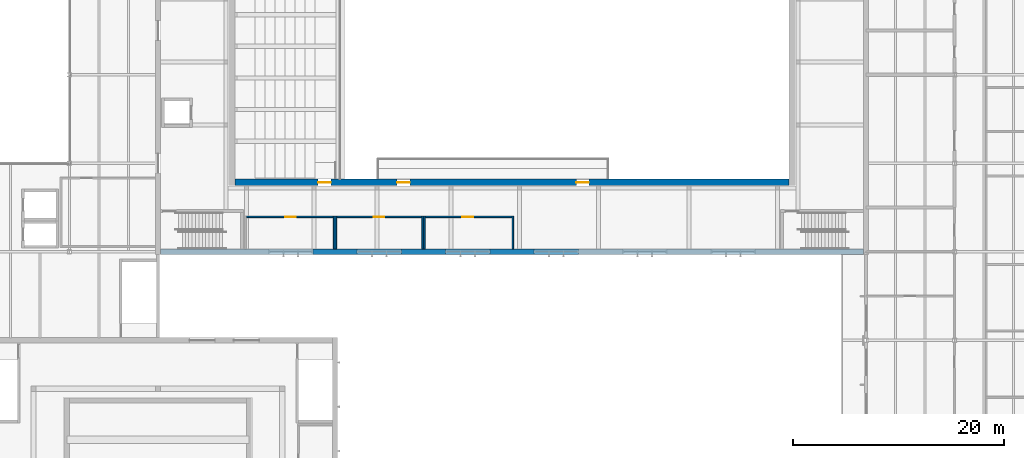
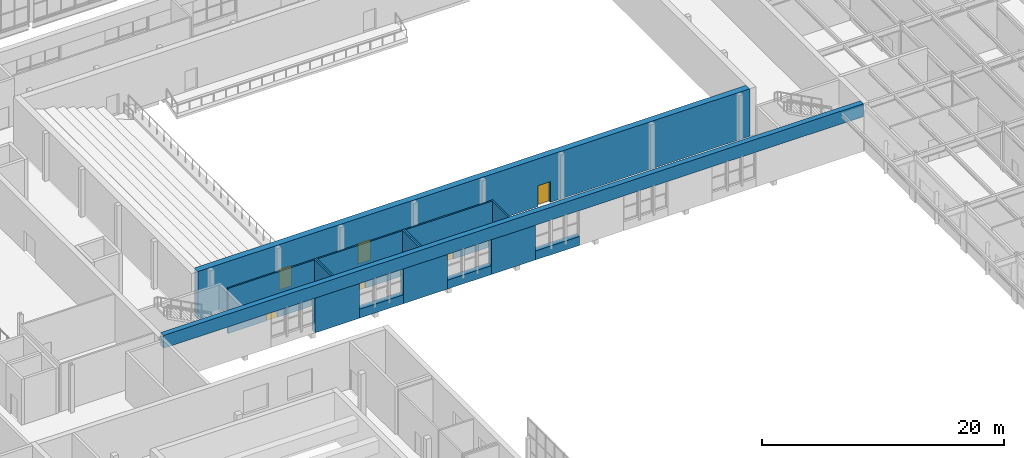
# One storey, part 71 of 116: 16 walls, 6 doors, 6 openings.
"""IFC4 building model written with IfcOpenShell, lengths in metres."""

from ifc_helpers import new_model, si_unit, direction, frame, frame_2d, origin, place, context, subcontext, project, spatial, rectangle, extrude, material, layer, layer_set, type_object, element, fill, save


model = new_model("IFC4")

# Units and contexts
model_context = context("Model", 3, precision=1e-05, world=origin(), true_north=direction((0.0, 1.0)))
body_context = subcontext(model_context, "Body", "Model", "MODEL_VIEW")
ifc_project = project(units=[si_unit("LENGTHUNIT", "METRE"), si_unit("AREAUNIT", "SQUARE_METRE"), si_unit("VOLUMEUNIT", "CUBIC_METRE"), si_unit("PLANEANGLEUNIT", "RADIAN"), si_unit("MASSUNIT", "GRAM", prefix="KILO")], contexts=[model_context])

# Site, building, storey
site_placement = place(None, origin())
site = spatial("IfcSite", under=ifc_project, at=site_placement, CompositionType="ELEMENT")
building_placement = place(site_placement, origin())
building = spatial("IfcBuilding", under=site, at=building_placement, Name="Ljudholm Concert House", CompositionType="ELEMENT")
storey_placement = place(building_placement, frame((0.0, 0.0, 10.199951171875)))
storey = spatial("IfcBuildingStorey", under=building, at=storey_placement, Name="L02", CompositionType="ELEMENT", Elevation=10.199951171875)

# Wall, opening, door
ifc_material_1 = material(Name="Gypsum board on steel studs", Category="steel")
ifc_layer_1 = layer(ifc_material_1, 0.14990234375)
ifc_layer_set_1 = layer_set([ifc_layer_1], Name="Gypsum board on steel studs")
wall_type_1 = type_object("IfcWallType", Name="GYPSUM PARTITION 150", PredefinedType="PARTITIONING", material=ifc_layer_set_1)
wall_1_placement = place(storey_placement, frame((37.60009765625, 57.72509765625, 0.0), z_axis=(0.0, 0.0, 1.0), x_axis=(1.0, 0.0, 0.0)))
wall_1 = element("IfcWall", 1, at=wall_1_placement, inside=storey, type_object=wall_type_1, Name="Women's WC partition", PredefinedType="PARTITIONING", context=body_context, shape_type="SweptSolid", body=[
    extrude(rectangle(XDim=8.39990234375, YDim=0.14990234375, at=frame_2d((4.199951171875, 0.0))), origin(), (0.0, 0.0, 1.0), 4.550048828125),
])
opening_1_placement = place(wall_1_placement, frame((3.699951171875, 0.0, 0.0)))
opening_1 = element("IfcOpeningElement", 2, at=opening_1_placement, cuts=wall_1, Name="Opening D-H02-003", PredefinedType="OPENING", context=body_context, shape_type="SweptSolid", body=[
    extrude(rectangle(XDim=1.0, YDim=2.10009765625, at=frame_2d((0.5, 1.050048828125))), frame((0.0, 0.0849609375, 0.0), z_axis=(0.0, -1.0, 0.0), x_axis=(1.0, 0.0, 0.0)), (0.0, 0.0, 1.0), 0.169921875),
])
ifc_material_2 = material(Name="Hollow metal door in steel frame", Category="steel")
door_type_1 = type_object("IfcDoorType", Name="SWING DOOR 1000x2100", OperationType="SINGLE_SWING_LEFT", PredefinedType="DOOR", material=ifc_material_2)
door_1_placement = place(opening_1_placement, frame((1.0, 0.0, 0.0), z_axis=(0.0, 0.0, 1.0), x_axis=(-1.0, 0.0, 0.0)))
door_1 = element("IfcDoor", 3, at=door_1_placement, inside=storey, type_object=door_type_1, Name="Women's WC door", OperationType="SINGLE_SWING_LEFT", OverallHeight=2.10009765625, OverallWidth=1.0, PredefinedType="DOOR", context=body_context, shape_type="SweptSolid", body=[
    extrude(rectangle(XDim=1.0, YDim=2.10009765625, at=frame_2d((0.5, 1.050048828125))), frame((0.0, 0.02490234375, 0.0), z_axis=(0.0, -1.0, 0.0), x_axis=(1.0, 0.0, 0.0)), (0.0, 0.0, 1.0), 0.050048828125),
])
fill(opening_1, door_1)

# Wall
wall_2_placement = place(storey_placement, frame((46.074951171875, 54.64990234375, 0.0), z_axis=(0.0, 0.0, 1.0), x_axis=(0.0, 1.0, 0.0)))
element("IfcWall", 4, at=wall_2_placement, inside=storey, type_object=wall_type_1, Name="Women's WC partition", PredefinedType="PARTITIONING", context=body_context, shape_type="SweptSolid", body=[
    extrude(rectangle(XDim=3.150146484375, YDim=0.14990234375, at=frame_2d((1.5751953125, 0.0))), origin(), (0.0, 0.0, 1.0), 4.550048828125),
])

# Wall, opening, door
wall_3_placement = place(storey_placement, frame((46.0, 57.72509765625, 0.0), z_axis=(0.0, 0.0, 1.0), x_axis=(1.0, 0.0, 0.0)))
wall_3 = element("IfcWall", 5, at=wall_3_placement, inside=storey, type_object=wall_type_1, Name="Men's WC partition", PredefinedType="PARTITIONING", context=body_context, shape_type="SweptSolid", body=[
    extrude(rectangle(XDim=8.39990234375, YDim=0.14990234375, at=frame_2d((4.199951171875, 0.0))), origin(), (0.0, 0.0, 1.0), 4.550048828125),
])
opening_2_placement = place(wall_3_placement, frame((3.699951171875, 0.0, 0.0)))
opening_2 = element("IfcOpeningElement", 6, at=opening_2_placement, cuts=wall_3, Name="Opening D-H02-004", PredefinedType="OPENING", context=body_context, shape_type="SweptSolid", body=[
    extrude(rectangle(XDim=1.0, YDim=2.10009765625, at=frame_2d((0.5, 1.050048828125))), frame((0.0, 0.0849609375, 0.0), z_axis=(0.0, -1.0, 0.0), x_axis=(1.0, 0.0, 0.0)), (0.0, 0.0, 1.0), 0.169921875),
])
door_2_placement = place(opening_2_placement, frame((1.0, 0.0, 0.0), z_axis=(0.0, 0.0, 1.0), x_axis=(-1.0, 0.0, 0.0)))
door_2 = element("IfcDoor", 7, at=door_2_placement, inside=storey, type_object=door_type_1, Name="Men's WC door", OperationType="SINGLE_SWING_RIGHT", OverallHeight=2.10009765625, OverallWidth=1.0, PredefinedType="DOOR", context=body_context, shape_type="SweptSolid", body=[
    extrude(rectangle(XDim=1.0, YDim=2.10009765625, at=frame_2d((0.5, 1.050048828125))), frame((0.0, 0.02490234375, 0.0), z_axis=(0.0, -1.0, 0.0), x_axis=(1.0, 0.0, 0.0)), (0.0, 0.0, 1.0), 0.050048828125),
])
fill(opening_2, door_2)

# Walls
for number, where, z_axis, x_axis, name in (
    (8, (45.925048828125, 54.64990234375, 0.0), (0.0, 0.0, 1.0), (0.0, 1.0, 0.0), "Men's WC partition"),
    (9, (54.47509765625, 54.64990234375, 0.0), (0.0, 0.0, 1.0), (0.0, 1.0, 0.0), "Men's WC partition"),
):
    element("IfcWall", number, at=place(storey_placement, frame(where, z_axis=z_axis, x_axis=x_axis)), inside=storey, type_object=wall_type_1, Name=name, PredefinedType="PARTITIONING", context=body_context, shape_type="SweptSolid", body=[
        extrude(rectangle(XDim=3.150146484375, YDim=0.14990234375, at=frame_2d((1.5751953125, 0.0))), origin(), (0.0, 0.0, 1.0), 4.550048828125),
    ])

# Wall, opening, door
wall_4_placement = place(storey_placement, frame((54.39990234375, 57.72509765625, 0.0), z_axis=(0.0, 0.0, 1.0), x_axis=(1.0, 0.0, 0.0)))
wall_4 = element("IfcWall", 10, at=wall_4_placement, inside=storey, type_object=wall_type_1, Name="Accessible WC partition", PredefinedType="PARTITIONING", context=body_context, shape_type="SweptSolid", body=[
    extrude(rectangle(XDim=8.400146484375, YDim=0.14990234375, at=frame_2d((4.2001953125, 0.0))), origin(), (0.0, 0.0, 1.0), 4.550048828125),
])
opening_3_placement = place(wall_4_placement, frame((3.699951171875, 0.0, 0.0)))
opening_3 = element("IfcOpeningElement", 11, at=opening_3_placement, cuts=wall_4, Name="Opening D-H02-005", PredefinedType="OPENING", context=body_context, shape_type="SweptSolid", body=[
    extrude(rectangle(XDim=1.0, YDim=2.10009765625, at=frame_2d((0.5, 1.050048828125))), frame((0.0, 0.0849609375, 0.0), z_axis=(0.0, -1.0, 0.0), x_axis=(1.0, 0.0, 0.0)), (0.0, 0.0, 1.0), 0.169921875),
])
door_3_placement = place(opening_3_placement, frame((1.0, 0.0, 0.0), z_axis=(0.0, 0.0, 1.0), x_axis=(-1.0, 0.0, 0.0)))
door_3 = element("IfcDoor", 12, at=door_3_placement, inside=storey, type_object=door_type_1, Name="Accessible WC door", OperationType="SINGLE_SWING_LEFT", OverallHeight=2.10009765625, OverallWidth=1.0, PredefinedType="DOOR", context=body_context, shape_type="SweptSolid", body=[
    extrude(rectangle(XDim=1.0, YDim=2.10009765625, at=frame_2d((0.5, 1.050048828125))), frame((0.0, 0.02490234375, 0.0), z_axis=(0.0, -1.0, 0.0), x_axis=(1.0, 0.0, 0.0)), (0.0, 0.0, 1.0), 0.050048828125),
])
fill(opening_3, door_3)

# Walls
for number, where, z_axis, x_axis, name in (
    (13, (54.324951171875, 54.64990234375, 0.0), (0.0, 0.0, 1.0), (0.0, 1.0, 0.0), "Accessible WC partition"),
    (14, (62.875, 54.64990234375, 0.0), (0.0, 0.0, 1.0), (0.0, 1.0, 0.0), "Accessible WC partition"),
):
    element("IfcWall", number, at=place(storey_placement, frame(where, z_axis=z_axis, x_axis=x_axis)), inside=storey, type_object=wall_type_1, Name=name, PredefinedType="PARTITIONING", context=body_context, shape_type="SweptSolid", body=[
        extrude(rectangle(XDim=3.150146484375, YDim=0.14990234375, at=frame_2d((1.5751953125, 0.0))), origin(), (0.0, 0.0, 1.0), 4.550048828125),
    ])
ifc_material_3 = material(Name="Concrete 6,500 psi", Category="concrete")
ifc_layer_2 = layer(ifc_material_3, 0.5)
ifc_layer_set_2 = layer_set([ifc_layer_2], Name="Concrete 6,500 psi")
wall_type_2 = type_object("IfcWallType", Name="RC WALL 500", PredefinedType="SOLIDWALL", material=ifc_layer_set_2)
wall_5_placement = place(storey_placement, frame((43.89990234375, 54.39990234375, 0.0), z_axis=(0.0, 0.0, 1.0), x_axis=(1.0, 0.0, 0.0)))
element("IfcWall", 15, at=wall_5_placement, inside=storey, type_object=wall_type_2, Name="Outer wall S", PredefinedType="SOLIDWALL", context=body_context, shape_type="SweptSolid", body=[
    extrude(rectangle(XDim=4.2001953125, YDim=0.5, at=frame_2d((2.10009765625, 0.0))), origin(), (0.0, 0.0, 1.0), 3.5),
])
for number, where, z_axis, x_axis, name in (
    (16, (52.300048828125, 54.39990234375, 0.0), (0.0, 0.0, 1.0), (1.0, 0.0, 0.0), "Outer wall S"),
    (17, (60.699951171875, 54.39990234375, 0.0), (0.0, 0.0, 1.0), (1.0, 0.0, 0.0), "Outer wall S"),
):
    element("IfcWall", number, at=place(storey_placement, frame(where, z_axis=z_axis, x_axis=x_axis)), inside=storey, type_object=wall_type_2, Name=name, PredefinedType="SOLIDWALL", context=body_context, shape_type="SweptSolid", body=[
        extrude(rectangle(XDim=4.199951171875, YDim=0.5, at=frame_2d((2.10009765625, 0.0))), origin(), (0.0, 0.0, 1.0), 3.5),
    ])
for number, where, z_axis, x_axis, name in (
    (18, (48.10009765625, 54.39990234375, 0.0), (0.0, 0.0, 1.0), (1.0, 0.0, 0.0), "Outer wall S"),
    (19, (56.5, 54.39990234375, 0.0), (0.0, 0.0, 1.0), (1.0, 0.0, 0.0), "Outer wall S"),
):
    element("IfcWall", number, at=place(storey_placement, frame(where, z_axis=z_axis, x_axis=x_axis)), inside=storey, type_object=wall_type_2, Name=name, PredefinedType="SOLIDWALL", context=body_context, shape_type="SweptSolid", body=[
        extrude(rectangle(XDim=4.199951171875, YDim=0.5, at=frame_2d((2.10009765625, 0.0))), origin(), (0.0, 0.0, 1.0), 0.900146484375),
    ])
wall_6_placement = place(storey_placement, frame((64.89990234375, 54.39990234375, 0.0), z_axis=(0.0, 0.0, 1.0), x_axis=(1.0, 0.0, 0.0)))
element("IfcWall", 20, at=wall_6_placement, inside=storey, type_object=wall_type_2, Name="Outer wall S", PredefinedType="SOLIDWALL", context=body_context, shape_type="SweptSolid", body=[
    extrude(rectangle(XDim=4.2001953125, YDim=0.5, at=frame_2d((2.10009765625, 0.0))), origin(), (0.0, 0.0, 1.0), 0.900146484375),
])
wall_7_placement = place(storey_placement, frame((29.449951171875, 54.39990234375, 3.5), z_axis=(0.0, 0.0, 1.0), x_axis=(1.0, 0.0, 0.0)))
element("IfcWall", 21, at=wall_7_placement, inside=storey, type_object=wall_type_2, Name="Outer wall S", PredefinedType="SOLIDWALL", context=body_context, shape_type="SweptSolid", body=[
    extrude(rectangle(XDim=66.699951171875, YDim=0.5, at=frame_2d((33.35009765625, 0.0))), origin(), (0.0, 0.0, 1.0), 1.300048828125),
])

# Wall, openings, doors
ifc_material_4 = material(Name="Concrete 6,500 psi", Category="concrete")
ifc_layer_3 = layer(ifc_material_4, 0.60009765625)
ifc_layer_set_3 = layer_set([ifc_layer_3], Name="Concrete 6,500 psi")
wall_type_3 = type_object("IfcWallType", Name="RC WALL 600", PredefinedType="SOLIDWALL", material=ifc_layer_set_3)
wall_8_placement = place(storey_placement, frame((36.5, 61.0, 0.0), z_axis=(0.0, 0.0, 1.0), x_axis=(1.0, 0.0, 0.0)))
wall_8 = element("IfcWall", 22, at=wall_8_placement, inside=storey, type_object=wall_type_3, Name="Inner box wall S", PredefinedType="SOLIDWALL", context=body_context, shape_type="SweptSolid", body=[
    extrude(rectangle(XDim=52.60009765625, YDim=0.60009765625, at=frame_2d((26.300048828125, 0.0))), origin(), (0.0, 0.0, 1.0), 4.800048828125),
])
opening_4_placement = place(wall_8_placement, frame((7.89990234375, 0.0, 0.0)))
opening_4 = element("IfcOpeningElement", 23, at=opening_4_placement, cuts=wall_8, Name="Opening D-H02-014", PredefinedType="OPENING", context=body_context, shape_type="SweptSolid", body=[
    extrude(rectangle(XDim=1.199951171875, YDim=2.10009765625, at=frame_2d((0.60009765625, 1.050048828125))), frame((0.0, 0.31005859375, 0.0), z_axis=(0.0, -1.0, 0.0), x_axis=(1.0, 0.0, 0.0)), (0.0, 0.0, 1.0), 0.6201171875),
])
opening_5_placement = place(wall_8_placement, frame((15.39990234375, 0.0, 0.0)))
opening_5 = element("IfcOpeningElement", 24, at=opening_5_placement, cuts=wall_8, Name="Opening D-H02-015", PredefinedType="OPENING", context=body_context, shape_type="SweptSolid", body=[
    extrude(rectangle(XDim=1.199951171875, YDim=2.10009765625, at=frame_2d((0.60009765625, 1.050048828125))), frame((0.0, 0.31005859375, 0.0), z_axis=(0.0, -1.0, 0.0), x_axis=(1.0, 0.0, 0.0)), (0.0, 0.0, 1.0), 0.6201171875),
])
opening_6_placement = place(wall_8_placement, frame((32.39990234375, 0.0, 0.0)))
opening_6 = element("IfcOpeningElement", 25, at=opening_6_placement, cuts=wall_8, Name="Opening D-H02-016", PredefinedType="OPENING", context=body_context, shape_type="SweptSolid", body=[
    extrude(rectangle(XDim=1.199951171875, YDim=2.10009765625, at=frame_2d((0.60009765625, 1.050048828125))), frame((0.0, 0.31005859375, 0.0), z_axis=(0.0, -1.0, 0.0), x_axis=(1.0, 0.0, 0.0)), (0.0, 0.0, 1.0), 0.6201171875),
])
ifc_material_5 = material(Name="Hollow metal door in steel frame", Category="steel")
door_type_2 = type_object("IfcDoorType", Name="SWING DOOR 1200x2100", OperationType="SINGLE_SWING_LEFT", PredefinedType="DOOR", material=ifc_material_5)
door_4_placement = place(opening_4_placement, origin())
door_4 = element("IfcDoor", 26, at=door_4_placement, inside=storey, type_object=door_type_2, Name="Hall door", OperationType="SINGLE_SWING_RIGHT", OverallHeight=2.10009765625, OverallWidth=1.199951171875, PredefinedType="DOOR", context=body_context, shape_type="SweptSolid", body=[
    extrude(rectangle(XDim=1.199951171875, YDim=2.10009765625, at=frame_2d((0.60009765625, 1.050048828125))), frame((0.0, 0.02490234375, 0.0), z_axis=(0.0, -1.0, 0.0), x_axis=(1.0, 0.0, 0.0)), (0.0, 0.0, 1.0), 0.050048828125),
])
fill(opening_4, door_4)
door_5_placement = place(opening_5_placement, origin())
door_5 = element("IfcDoor", 27, at=door_5_placement, inside=storey, type_object=door_type_2, Name="Hall door", OperationType="SINGLE_SWING_RIGHT", OverallHeight=2.10009765625, OverallWidth=1.199951171875, PredefinedType="DOOR", context=body_context, shape_type="SweptSolid", body=[
    extrude(rectangle(XDim=1.199951171875, YDim=2.10009765625, at=frame_2d((0.60009765625, 1.050048828125))), frame((0.0, 0.02490234375, 0.0), z_axis=(0.0, -1.0, 0.0), x_axis=(1.0, 0.0, 0.0)), (0.0, 0.0, 1.0), 0.050048828125),
])
fill(opening_5, door_5)
door_6_placement = place(opening_6_placement, origin())
door_6 = element("IfcDoor", 28, at=door_6_placement, inside=storey, type_object=door_type_2, Name="Hall door", OperationType="SINGLE_SWING_LEFT", OverallHeight=2.10009765625, OverallWidth=1.199951171875, PredefinedType="DOOR", context=body_context, shape_type="SweptSolid", body=[
    extrude(rectangle(XDim=1.199951171875, YDim=2.10009765625, at=frame_2d((0.60009765625, 1.050048828125))), frame((0.0, 0.02490234375, 0.0), z_axis=(0.0, -1.0, 0.0), x_axis=(1.0, 0.0, 0.0)), (0.0, 0.0, 1.0), 0.050048828125),
])
fill(opening_6, door_6)

save(model, "model.ifc")
